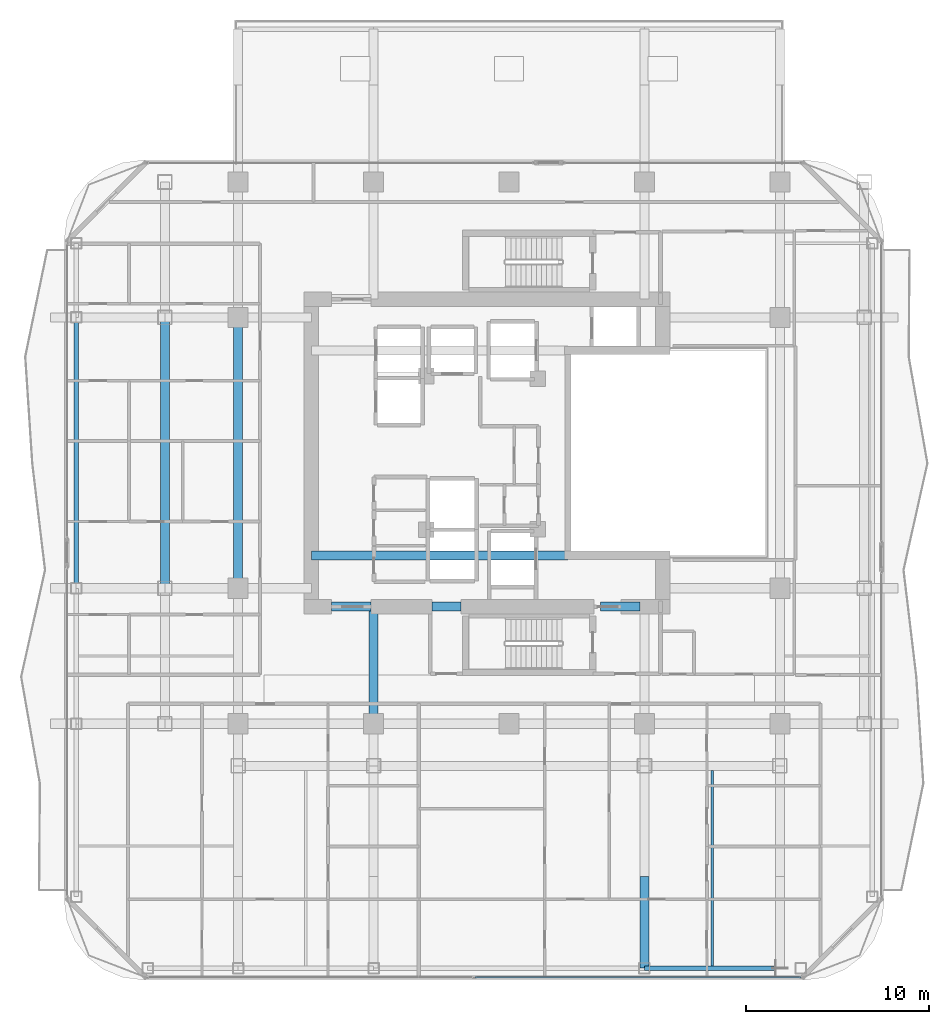
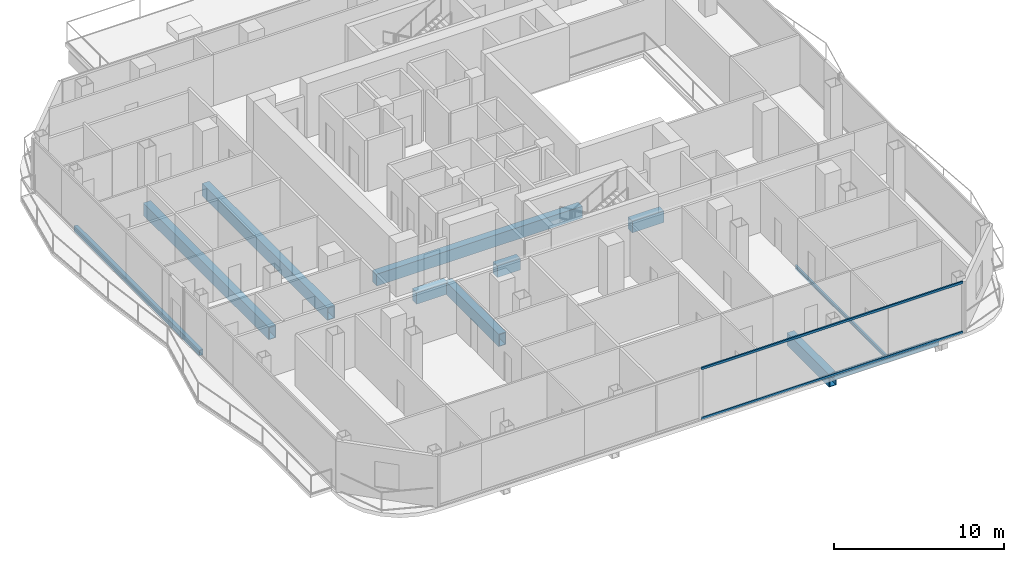
# One storey, part 6 of 24: 11 beams, 2 members, 1 element without a shape of its own.
"""IFC4 building model written with IfcOpenShell, lengths in metres."""

from ifc_helpers import new_model, si_unit, direction, frame, origin, origin_2d, place, context, subcontext, project, spatial, rectangle, hollow_rectangle, i_section, extrude, material, layer, layer_set, material_profile, profile_set, type_object, element, aggregate, save


model = new_model("IFC4")

# Units and contexts
model_context = context("Model", 3, precision=1e-05, world=origin(), true_north=direction((0.0, 1.0)))
body_context = subcontext(model_context, "Body", "Model", "MODEL_VIEW")
ifc_project = project(units=[si_unit("LENGTHUNIT", "METRE"), si_unit("AREAUNIT", "SQUARE_METRE"), si_unit("VOLUMEUNIT", "CUBIC_METRE"), si_unit("PLANEANGLEUNIT", "RADIAN"), si_unit("MASSUNIT", "GRAM", prefix="KILO")], contexts=[model_context])

# Site, building, storey
site_placement = place(None, origin())
site = spatial("IfcSite", under=ifc_project, at=site_placement, CompositionType="ELEMENT")
building_placement = place(site_placement, origin())
building = spatial("IfcBuilding", under=site, at=building_placement, Name="Khorvyn Point Tower", CompositionType="ELEMENT")
storey_placement = place(building_placement, frame((0.0, 0.0, 191.39990234375)))
storey = spatial("IfcBuildingStorey", under=building, at=storey_placement, Name="L47", CompositionType="ELEMENT", Elevation=191.39990234375)

# Curtain wall, members
ifc_material_1 = material(Name="Anodised aluminium 6063-T6 and laminated Low-E glass", Category="aluminium")
ifc_layer = layer(ifc_material_1, 0.18994140625)
ifc_layer_set = layer_set([ifc_layer], Name="Stick-Built Acoustic Curtain Wall CW-SYS-03")
curtain_wall_type = type_object("IfcCurtainWallType", Name="Stick-Built Acoustic Curtain Wall CW-SYS-03", PredefinedType="NOTDEFINED", material=ifc_layer_set)
curtain_wall_placement = place(storey_placement, origin())
curtain_wall = element("IfcCurtainWall", 1, at=curtain_wall_placement, inside=storey, type_object=curtain_wall_type, Name="Curtain Wall", PredefinedType="NOTDEFINED")
ifc_material_2 = material(Name="Anodised aluminium 6063-T6", Category="aluminium")
ifc_material_profile_1 = material_profile(ifc_material_2, hollow_rectangle(XDim=0.10009765625, YDim=0.159912109375, WallThickness=0.00439453125, at=origin_2d()))
ifc_profile_set_1 = profile_set([ifc_material_profile_1], Name="Anodised aluminium 6063-T6 ALU-TRN-100x160")
member_type = type_object("IfcMemberType", Name="Anodised Aluminium 6063-T6 Transom ALU-TRN-100x160", PredefinedType="USERDEFINED", material=ifc_profile_set_1)
member_1_placement = place(storey_placement, frame((15.949951171875, -28.64990234375, 0.050048828125), z_axis=(-1.0, 0.0, 0.0), x_axis=(0.0, -1.0, 0.0)))
member_1 = element("IfcMember", 2, at=member_1_placement, type_object=member_type, Name="Transom", ObjectType="TRANSOM", PredefinedType="USERDEFINED", context=body_context, shape_type="SweptSolid", body=[
    extrude(hollow_rectangle(XDim=0.10009765625, YDim=0.159912109375, WallThickness=0.00439453125, at=origin_2d()), origin(), (0.0, 0.0, 1.0), 17.800048828125),
])
member_2_placement = place(storey_placement, frame((15.949951171875, -28.64990234375, 3.630126953125), z_axis=(-1.0, 0.0, 0.0), x_axis=(0.0, -1.0, 0.0)))
member_2 = element("IfcMember", 3, at=member_2_placement, type_object=member_type, Name="Transom", ObjectType="TRANSOM", PredefinedType="USERDEFINED", context=body_context, shape_type="SweptSolid", body=[
    extrude(hollow_rectangle(XDim=0.10009765625, YDim=0.159912109375, WallThickness=0.00439453125, at=origin_2d()), origin(), (0.0, 0.0, 1.0), 17.800048828125),
])
aggregate(curtain_wall, [member_1, member_2])

# Beams
ifc_material_3 = material(Name="Concrete C45/55", Category="concrete")
ifc_material_profile_2 = material_profile(ifc_material_3, rectangle(XDim=0.5, YDim=0.85009765625, at=origin_2d()))
ifc_profile_set_2 = profile_set([ifc_material_profile_2], Name="Concrete C45/55 RC500x850")
beam_type_1 = type_object("IfcBeamType", Name="Concrete C45/55 Beam RC500x850", PredefinedType="BEAM", material=ifc_profile_set_2)
beam_1_placement = place(storey_placement, frame((-10.800048828125, -5.60009765625, -0.704833984375), z_axis=(1.0, 0.0, 0.0), x_axis=(0.0, 1.0, 0.0)))
element("IfcBeam", 4, at=beam_1_placement, inside=storey, type_object=beam_type_1, Name="L47 Core Internal Tie Girder S", PredefinedType="BEAM", context=body_context, shape_type="SweptSolid", body=[
    extrude(rectangle(XDim=0.5, YDim=0.85009765625, at=origin_2d()), origin(), (0.0, 0.0, 1.0), 14.02001953125),
])
beam_2_placement = place(storey_placement, frame((-9.699951171875, -8.39990234375, -0.704833984375), z_axis=(1.0, 0.0, 0.0), x_axis=(0.0, 1.0, 0.0)))
element("IfcBeam", 5, at=beam_2_placement, inside=storey, type_object=beam_type_1, Name="L47 Core Southwest Portal Coupling Beam", PredefinedType="BEAM", context=body_context, shape_type="SweptSolid", body=[
    extrude(rectangle(XDim=0.5, YDim=0.85009765625, at=origin_2d()), origin(), (0.0, 0.0, 1.0), 2.14990234375),
])
beam_3_placement = place(storey_placement, frame((-4.199951171875, -8.39990234375, -0.704833984375), z_axis=(1.0, 0.0, 0.0), x_axis=(0.0, 1.0, 0.0)))
element("IfcBeam", 6, at=beam_3_placement, inside=storey, type_object=beam_type_1, Name="L47 Core Shuttle Portal Coupling Beam", PredefinedType="BEAM", context=body_context, shape_type="SweptSolid", body=[
    extrude(rectangle(XDim=0.5, YDim=0.85009765625, at=origin_2d()), origin(), (0.0, 0.0, 1.0), 1.579833984375),
])
beam_4_placement = place(storey_placement, frame((5.0, -8.39990234375, -0.704833984375), z_axis=(1.0, 0.0, 0.0), x_axis=(0.0, 1.0, 0.0)))
element("IfcBeam", 7, at=beam_4_placement, inside=storey, type_object=beam_type_1, Name="L47 Core Southeast Portal Coupling Beam", PredefinedType="BEAM", context=body_context, shape_type="SweptSolid", body=[
    extrude(rectangle(XDim=0.5, YDim=0.85009765625, at=origin_2d()), origin(), (0.0, 0.0, 1.0), 2.14990234375),
])
ifc_material_4 = material(Name="Steel S355", Category="steel")
ifc_material_profile_3 = material_profile(ifc_material_4, i_section(OverallWidth=0.125, OverallDepth=0.25, WebThickness=0.006103515625, FlangeThickness=0.009033203125, at=origin_2d()))
ifc_profile_set_3 = profile_set([ifc_material_profile_3], Name="Steel S355 H250x125x6x9")
beam_type_2 = type_object("IfcBeamType", Name="Steel S355 Joist H250x125x6x9", PredefinedType="JOIST", material=ifc_profile_set_3)
beam_5_placement = place(storey_placement, frame((11.10009765625, -28.02490234375, -0.40478515625), z_axis=(0.0, 1.0, 0.0), x_axis=(-1.0, 0.0, 0.0)))
element("IfcBeam", 8, at=beam_5_placement, inside=storey, type_object=beam_type_2, Name="Beam", PredefinedType="JOIST", context=body_context, shape_type="SweptSolid", body=[
    extrude(i_section(OverallWidth=0.125, OverallDepth=0.25, WebThickness=0.006103515625, FlangeThickness=0.009033203125, at=origin_2d()), origin(), (0.0, 0.0, 1.0), 10.6748046875),
])
ifc_material_profile_4 = material_profile(ifc_material_4, hollow_rectangle(XDim=0.25, YDim=0.39990234375, WallThickness=0.01611328125, at=origin_2d()))
ifc_profile_set_4 = profile_set([ifc_material_profile_4], Name="Steel S355 RHS400x250x16")
beam_type_3 = type_object("IfcBeamType", Name="Steel S355 Spandrel RHS400x250x16", PredefinedType="SPANDREL", material=ifc_profile_set_4)
beam_6_placement = place(storey_placement, frame((7.39990234375, -28.14990234375, -0.47998046875), z_axis=(1.0, 0.0, 0.0), x_axis=(0.0, 1.0, 0.0)))
element("IfcBeam", 9, at=beam_6_placement, inside=storey, type_object=beam_type_3, Name="Beam", PredefinedType="SPANDREL", context=body_context, shape_type="SweptSolid", body=[
    extrude(hollow_rectangle(XDim=0.25, YDim=0.39990234375, WallThickness=0.01611328125, at=origin_2d()), origin(), (0.0, 0.0, 1.0), 7.150146484375),
])
beam_7_placement = place(storey_placement, frame((-23.64990234375, -7.39990234375, -0.47998046875), z_axis=(0.0, 1.0, 0.0), x_axis=(-1.0, 0.0, 0.0)))
element("IfcBeam", 10, at=beam_7_placement, inside=storey, type_object=beam_type_3, Name="Beam", PredefinedType="SPANDREL", context=body_context, shape_type="SweptSolid", body=[
    extrude(hollow_rectangle(XDim=0.25, YDim=0.39990234375, WallThickness=0.01611328125, at=origin_2d()), origin(), (0.0, 0.0, 1.0), 14.7998046875),
])
ifc_material_5 = material(Name="Steel S450", Category="steel")
ifc_material_profile_5 = material_profile(ifc_material_5, hollow_rectangle(XDim=0.5, YDim=0.89990234375, WallThickness=0.0400390625, at=origin_2d()))
ifc_profile_set_5 = profile_set([ifc_material_profile_5], Name="Steel S450 BOX900x500x40")
beam_type_4 = type_object("IfcBeamType", Name="Steel S450 Beam BOX900x500x40", PredefinedType="BEAM", material=ifc_profile_set_5)
beam_8_placement = place(storey_placement, frame((-14.800048828125, -7.39990234375, -0.72998046875), z_axis=(0.0, 1.0, 0.0), x_axis=(-1.0, 0.0, 0.0)))
element("IfcBeam", 11, at=beam_8_placement, inside=storey, type_object=beam_type_4, Name="L47 Radial Transfer Girder", PredefinedType="BEAM", context=body_context, shape_type="SweptSolid", body=[
    extrude(hollow_rectangle(XDim=0.5, YDim=0.89990234375, WallThickness=0.0400390625, at=origin_2d()), origin(), (0.0, 0.0, 1.0), 14.7998046875),
])
beam_9_placement = place(storey_placement, frame((-7.39990234375, -14.800048828125, -0.72998046875), z_axis=(0.0, 1.0, 0.0), x_axis=(-1.0, 0.0, 0.0)))
element("IfcBeam", 12, at=beam_9_placement, inside=storey, type_object=beam_type_4, Name="Beam", PredefinedType="BEAM", context=body_context, shape_type="SweptSolid", body=[
    extrude(hollow_rectangle(XDim=0.5, YDim=0.89990234375, WallThickness=0.0400390625, at=origin_2d()), origin(), (0.0, 0.0, 1.0), 6.400146484375),
])
beam_10_placement = place(storey_placement, frame((7.39990234375, -28.14990234375, -0.72998046875), z_axis=(0.0, 1.0, 0.0), x_axis=(-1.0, 0.0, 0.0)))
element("IfcBeam", 13, at=beam_10_placement, inside=storey, type_object=beam_type_4, Name="Beam", PredefinedType="BEAM", context=body_context, shape_type="SweptSolid", body=[
    extrude(hollow_rectangle(XDim=0.5, YDim=0.89990234375, WallThickness=0.0400390625, at=origin_2d()), origin(), (0.0, 0.0, 1.0), 5.0),
])
beam_11_placement = place(storey_placement, frame((-18.800048828125, -7.39990234375, -0.72998046875), z_axis=(0.0, 1.0, 0.0), x_axis=(-1.0, 0.0, 0.0)))
element("IfcBeam", 14, at=beam_11_placement, inside=storey, type_object=beam_type_4, Name="Beam", PredefinedType="BEAM", context=body_context, shape_type="SweptSolid", body=[
    extrude(hollow_rectangle(XDim=0.5, YDim=0.89990234375, WallThickness=0.0400390625, at=origin_2d()), origin(), (0.0, 0.0, 1.0), 14.7998046875),
])

save(model, "model.ifc")
